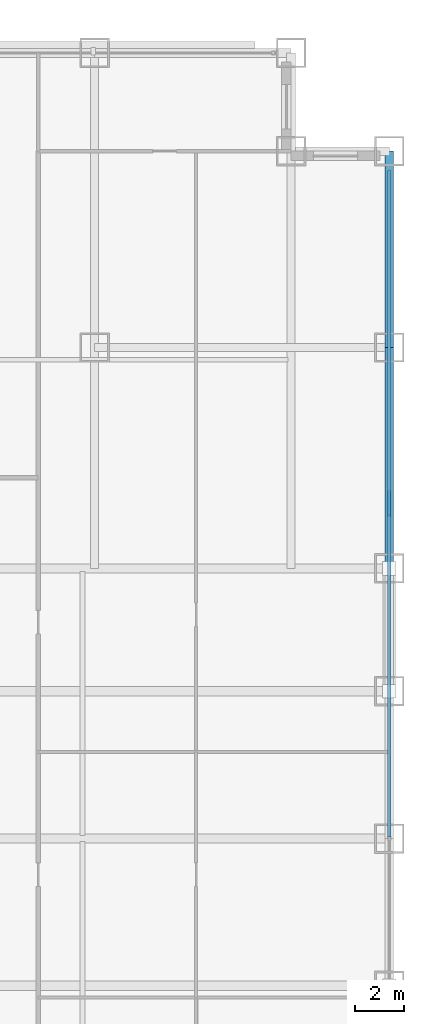
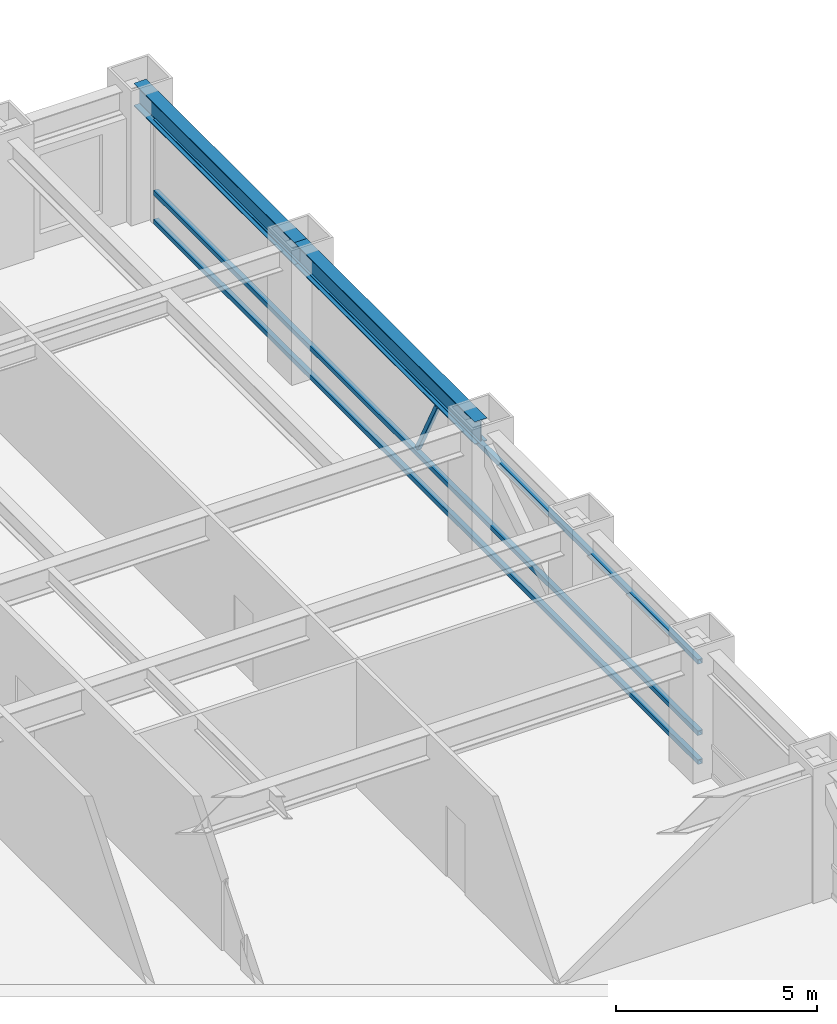
# One storey, part 15 of 32: 4 members, 2 beams, 1 element without a shape of its own.
"""IFC4 building model written with IfcOpenShell, lengths in metres."""

from ifc_helpers import new_model, si_unit, direction, frame, origin, origin_2d, place, context, subcontext, project, spatial, hollow_rectangle, i_section, extrude, source, transform, mapped, material, material_profile, profile_set, type_object, element, aggregate, save


model = new_model("IFC4")

# Units and contexts
model_context = context("Model", 3, precision=1e-05, world=origin(), true_north=direction((0.0, 1.0)))
body_context = subcontext(model_context, "Body", "Model", "MODEL_VIEW")
ifc_project = project(units=[si_unit("LENGTHUNIT", "METRE"), si_unit("AREAUNIT", "SQUARE_METRE"), si_unit("VOLUMEUNIT", "CUBIC_METRE"), si_unit("PLANEANGLEUNIT", "RADIAN"), si_unit("MASSUNIT", "GRAM", prefix="KILO")], contexts=[model_context])

# Site, building, storey
site_placement = place(None, origin())
site = spatial("IfcSite", under=ifc_project, at=site_placement, CompositionType="ELEMENT")
building_placement = place(site_placement, origin())
building = spatial("IfcBuilding", under=site, at=building_placement, Name="Khorayat Bourse Tower", CompositionType="ELEMENT")
storey_placement = place(building_placement, frame((0.0, 0.0, 136.5)))
storey = spatial("IfcBuildingStorey", under=building, at=storey_placement, Name="L31", CompositionType="ELEMENT", Elevation=136.5)

# Beams
ifc_material_1 = material(Name="Steel ASTM A992 Grade 50", Category="steel")
ifc_material_profile_1 = material_profile(ifc_material_1, i_section(OverallWidth=0.35498046875, OverallDepth=0.695068359375, WebThickness=0.015380859375, FlangeThickness=0.02490234375, FilletRadius=0.01806640625, at=origin_2d()), Name="W690X217")
ifc_profile_set_1 = profile_set([ifc_material_profile_1], Name="Steel ASTM A992 Grade 50")
beam_type = type_object("IfcBeamType", Name="BM-SPAN-690", PredefinedType="SPANDREL", material=ifc_profile_set_1)
shared_shape_1 = source(origin(), body_context, "Body", "SweptSolid", [
    extrude(i_section(OverallWidth=0.35498046875, OverallDepth=0.695068359375, WebThickness=0.015380859375, FlangeThickness=0.02490234375, FilletRadius=0.01806640625, at=origin_2d()), origin(), (0.0, 0.0, 1.0), 9.0),
])
beam_1_placement = place(storey_placement, frame((32.0, 11.0, 3.492431640625), z_axis=(0.0, 1.0, 0.0), x_axis=(-1.0, 0.0, 0.0)))
element("IfcBeam", 1, at=beam_1_placement, inside=storey, type_object=beam_type, Name="L31 BM-SPAN-690 BM-L31-SPN-040", PredefinedType="SPANDREL", context=body_context, shape_type="MappedRepresentation", body=[
    mapped(shared_shape_1, transform((0.0, 0.0, 0.0), scale=1.0)),
])
shared_shape_2 = source(origin(), body_context, "Body", "SweptSolid", [
    extrude(i_section(OverallWidth=0.35498046875, OverallDepth=0.695068359375, WebThickness=0.015380859375, FlangeThickness=0.02490234375, FilletRadius=0.01806640625, at=origin_2d()), origin(), (0.0, 0.0, 1.0), 8.0),
])
beam_2_placement = place(storey_placement, frame((32.0, 20.0, 3.492431640625), z_axis=(0.0, 1.0, 0.0), x_axis=(-1.0, 0.0, 0.0)))
element("IfcBeam", 2, at=beam_2_placement, inside=storey, type_object=beam_type, Name="L31 BM-SPAN-690 BM-L31-SPN-041", PredefinedType="SPANDREL", context=body_context, shape_type="MappedRepresentation", body=[
    mapped(shared_shape_2, transform((0.0, 0.0, 0.0), scale=1.0)),
])

# Curtain wall, members
ifc_material_2 = material(Name="Aluminium EN AW-6063 T6", Category="aluminium")
curtain_wall_type = type_object("IfcCurtainWallType", Name="CW-SYS-02", PredefinedType="NOTDEFINED", material=ifc_material_2)
curtain_wall_placement = place(storey_placement, origin())
curtain_wall = element("IfcCurtainWall", 3, at=curtain_wall_placement, inside=storey, type_object=curtain_wall_type, Name="L31 Curtain Wall CW-L31-E1", PredefinedType="NOTDEFINED")
ifc_material_profile_2 = material_profile(ifc_material_2, hollow_rectangle(XDim=0.139892578125, YDim=0.139892578125, WallThickness=0.006103515625, at=origin_2d()), Name="ALU 140x140x6")
ifc_profile_set_2 = profile_set([ifc_material_profile_2], Name="Aluminium EN AW-6063 T6")
member_type_1 = type_object("IfcMemberType", Name="CWT-HORZ-140", PredefinedType="USERDEFINED", material=ifc_profile_set_2)
shared_shape_3 = source(origin(), body_context, "Body", "SweptSolid", [
    extrude(hollow_rectangle(XDim=0.139892578125, YDim=0.139892578125, WallThickness=0.006103515625, at=origin_2d()), origin(), (0.0, 0.0, 1.0), 27.139892578125),
])
member_1_placement = place(storey_placement, frame((32.0, 0.070068359375, 0.070068359375), z_axis=(0.0, 1.0, 0.0), x_axis=(-1.0, 0.0, 0.0)))
member_1 = element("IfcMember", 4, at=member_1_placement, type_object=member_type_1, Name="CW-L31-E1 Horizontal Transom 2-1", ObjectType="TRANSOM", PredefinedType="USERDEFINED", context=body_context, shape_type="MappedRepresentation", body=[
    mapped(shared_shape_3, transform((0.0, 0.0, 0.0), scale=1.0)),
])
member_2_placement = place(storey_placement, frame((32.0, 0.070068359375, 0.949951171875), z_axis=(0.0, 1.0, 0.0), x_axis=(-1.0, 0.0, 0.0)))
member_2 = element("IfcMember", 5, at=member_2_placement, type_object=member_type_1, Name="CW-L31-E1 Horizontal Transom 2-2", ObjectType="TRANSOM", PredefinedType="USERDEFINED", context=body_context, shape_type="MappedRepresentation", body=[
    mapped(shared_shape_3, transform((0.0, 0.0, 0.0), scale=1.0)),
])
member_3_placement = place(storey_placement, frame((32.0, 0.070068359375, 3.1201171875), z_axis=(0.0, 1.0, 0.0), x_axis=(-1.0, 0.0, 0.0)))
member_3 = element("IfcMember", 6, at=member_3_placement, type_object=member_type_1, Name="CW-L31-E1 Horizontal Transom 2-3", ObjectType="TRANSOM", PredefinedType="USERDEFINED", context=body_context, shape_type="MappedRepresentation", body=[
    mapped(shared_shape_3, transform((0.0, 0.0, 0.0), scale=1.0)),
])
ifc_material_profile_3 = material_profile(ifc_material_2, hollow_rectangle(XDim=0.1201171875, YDim=0.1201171875, WallThickness=0.0048828125, at=origin_2d()), Name="ALU 120x120x5")
ifc_profile_set_3 = profile_set([ifc_material_profile_3], Name="Aluminium EN AW-6063 T6")
member_type_2 = type_object("IfcMemberType", Name="CWM-DIAG-120", PredefinedType="MULLION", material=ifc_profile_set_3)
shared_shape_4 = source(origin(), body_context, "Body", "SweptSolid", [
    extrude(hollow_rectangle(XDim=0.1201171875, YDim=0.1201171875, WallThickness=0.0048828125, at=origin_2d()), origin(), (0.0, 0.0, 1.0), 2.113037109375),
])
member_4_placement = place(storey_placement, frame((32.0, 14.132080078125, 1.10009765625), z_axis=(0.0, -0.465741670874, 0.884920728659), x_axis=(1.0, 0.0, 0.0)))
member_4 = element("IfcMember", 7, at=member_4_placement, type_object=member_type_2, Name="CW-L31-E1 Faceted Diagonal Mullion 2", PredefinedType="MULLION", context=body_context, shape_type="MappedRepresentation", body=[
    mapped(shared_shape_4, transform((0.0, 0.0, 0.0), scale=1.0)),
])
aggregate(curtain_wall, [member_1, member_2, member_3, member_4])

save(model, "model.ifc")
